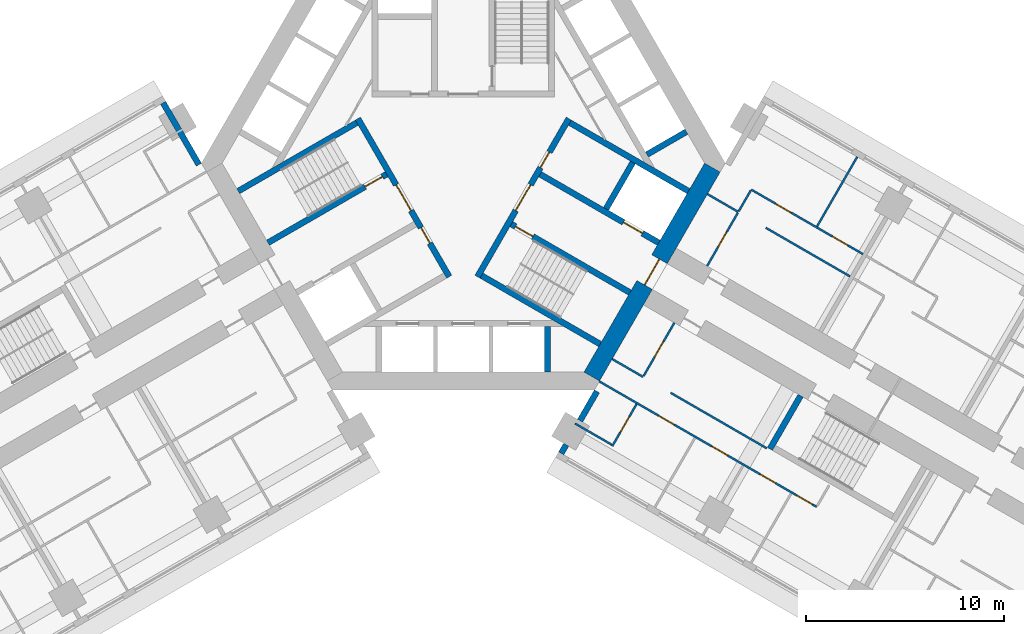
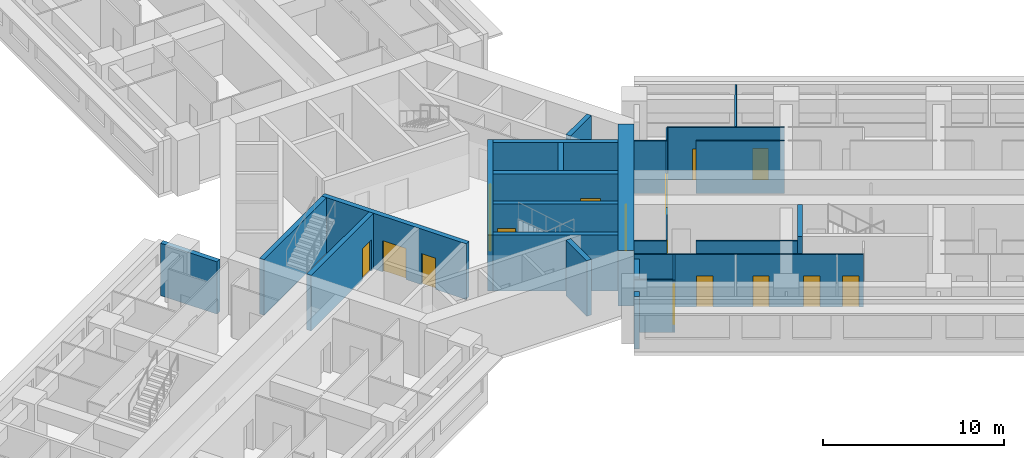
# One storey, part 7 of 15: 28 walls, 17 doors, 17 openings.
"""IFC4 building model written with IfcOpenShell, lengths in metres."""

from ifc_helpers import new_model, si_unit, direction, frame, frame_2d, origin, place, context, subcontext, project, spatial, rectangle, extrude, material, layer, layer_set, type_object, element, fill, save


model = new_model("IFC4")

# Units and contexts
model_context = context("Model", 3, precision=1e-05, world=origin(), true_north=direction((0.0, 1.0)))
body_context = subcontext(model_context, "Body", "Model", "MODEL_VIEW")
ifc_project = project(units=[si_unit("LENGTHUNIT", "METRE"), si_unit("AREAUNIT", "SQUARE_METRE"), si_unit("VOLUMEUNIT", "CUBIC_METRE"), si_unit("PLANEANGLEUNIT", "RADIAN"), si_unit("MASSUNIT", "GRAM", prefix="KILO")], contexts=[model_context])

# Site, building, storey
site_placement = place(None, origin())
site = spatial("IfcSite", under=ifc_project, at=site_placement, CompositionType="ELEMENT")
building_placement = place(site_placement, origin())
building = spatial("IfcBuilding", under=site, at=building_placement, Name="Impinga Residences", CompositionType="ELEMENT")
storey_placement = place(building_placement, frame((0.0, 0.0, 82.25)))
storey = spatial("IfcBuildingStorey", under=building, at=storey_placement, Name="L20", CompositionType="ELEMENT", Elevation=82.25)

# Walls
ifc_material_1 = material(Name="Terracotta rainscreen on blockwork", Category="masonry")
ifc_layer_1 = layer(ifc_material_1, 0.300048828125)
ifc_layer_set_1 = layer_set([ifc_layer_1], Name="EW1 external wall, terracotta rainscreen on blockwork 300")
wall_type_1 = type_object("IfcWallType", Name="EW1 external wall, terracotta rainscreen on blockwork 300", PredefinedType="SOLIDWALL", material=ifc_layer_set_1)
wall_1_placement = place(storey_placement, frame((-15.1298828125, 3.042724609375, 0.0), z_axis=(0.0, 0.0, 1.0), x_axis=(0.500012057535, -0.866018442252, 0.0)))
element("IfcWall", 1, at=wall_1_placement, inside=storey, type_object=wall_type_1, Name="External wall EW1 L20", PredefinedType="SOLIDWALL", context=body_context, shape_type="SweptSolid", body=[
    extrude(rectangle(XDim=3.60009765625, YDim=0.300048828125, at=frame_2d((1.800048828125, 0.0))), origin(), (0.0, 0.0, 1.0), 3.530029296875),
])
wall_2_placement = place(storey_placement, frame((4.929931640625, -14.624267578125, 0.0), z_axis=(0.0, 0.0, 1.0), x_axis=(0.499919672301, 0.866071776036, 0.0)))
element("IfcWall", 2, at=wall_2_placement, inside=storey, type_object=wall_type_1, Name="External wall EW1 L20", PredefinedType="SOLIDWALL", context=body_context, shape_type="SweptSolid", body=[
    extrude(rectangle(XDim=0.5, YDim=0.300048828125, at=frame_2d((0.25, 0.0))), origin(), (0.0, 0.0, 1.0), 3.530029296875),
])
wall_3_placement = place(storey_placement, frame((5.8798828125, -12.978759765625, 0.0), z_axis=(0.0, 0.0, 1.0), x_axis=(0.500062241894, 0.865989465428, 0.0)))
element("IfcWall", 3, at=wall_3_placement, inside=storey, type_object=wall_type_1, Name="External wall EW1 L20", PredefinedType="SOLIDWALL", context=body_context, shape_type="SweptSolid", body=[
    extrude(rectangle(XDim=1.699951171875, YDim=0.300048828125, at=frame_2d((0.85009765625, 0.0))), origin(), (0.0, 0.0, 1.0), 3.530029296875),
])
ifc_material_2 = material(Name="Gypsum board on steel studs", Category="steel")
ifc_layer_2 = layer(ifc_material_2, 0.10009765625)
ifc_layer_set_2 = layer_set([ifc_layer_2], Name="Gypsum board on steel studs")
wall_type_2 = type_object("IfcWallType", Name="IP1 partition 100", PredefinedType="PARTITIONING", material=ifc_layer_set_2)
wall_4_placement = place(storey_placement, frame((12.300048828125, -1.558837890625, 0.0), z_axis=(0.0, 0.0, 1.0), x_axis=(0.866047807691, -0.499961193289, 0.0)))
element("IfcWall", 4, at=wall_4_placement, inside=storey, type_object=wall_type_2, Name="Partition L20-EA1:DIV0", PredefinedType="PARTITIONING", context=body_context, shape_type="SweptSolid", body=[
    extrude(rectangle(XDim=1.800048828125, YDim=0.10009765625, at=frame_2d((0.89990234375, 0.0))), origin(), (0.0, 0.0, 1.0), 3.530029296875),
])
wall_5_placement = place(storey_placement, frame((15.244384765625, -3.2587890625, 0.0), z_axis=(0.0, 0.0, 1.0), x_axis=(0.866036242063, -0.49998122708, 0.0)))
element("IfcWall", 5, at=wall_5_placement, inside=storey, type_object=wall_type_2, Name="Partition L20-EA1:DIV1", PredefinedType="PARTITIONING", context=body_context, shape_type="SweptSolid", body=[
    extrude(rectangle(XDim=4.900146484375, YDim=0.10009765625, at=frame_2d((2.4501953125, 0.0))), origin(), (0.0, 0.0, 1.0), 3.530029296875),
])

# Wall, openings, doors
wall_6_placement = place(storey_placement, frame((14.5087890625, -1.3330078125, 0.0), z_axis=(0.0, 0.0, 1.0), x_axis=(0.866024837091, -0.50000098154, 0.0)))
wall_6 = element("IfcWall", 6, at=wall_6_placement, inside=storey, type_object=wall_type_2, Name="Partition L20-EA1:STRIP", PredefinedType="PARTITIONING", context=body_context, shape_type="SweptSolid", body=[
    extrude(rectangle(XDim=6.5, YDim=0.10009765625, at=frame_2d((3.25, 0.0))), origin(), (0.0, 0.0, 1.0), 3.530029296875),
])
opening_1_placement = place(wall_6_placement, frame((1.425048828125, 0.0, 0.0)))
opening_1 = element("IfcOpeningElement", 7, at=opening_1_placement, cuts=wall_6, Name="Opening D2", PredefinedType="OPENING", context=body_context, shape_type="SweptSolid", body=[
    extrude(rectangle(XDim=0.89990234375, YDim=2.10009765625, at=frame_2d((0.449951171875, 1.050048828125))), frame((0.0, 0.06005859375, 0.0), z_axis=(0.0, -1.0, 0.0), x_axis=(1.0, 0.0, 0.0)), (0.0, 0.0, 1.0), 0.1201171875),
])
opening_2_placement = place(wall_6_placement, frame((4.72509765625, 0.0, 0.0)))
opening_2 = element("IfcOpeningElement", 8, at=opening_2_placement, cuts=wall_6, Name="Opening D2", PredefinedType="OPENING", context=body_context, shape_type="SweptSolid", body=[
    extrude(rectangle(XDim=0.89990234375, YDim=2.10009765625, at=frame_2d((0.449951171875, 1.050048828125))), frame((0.0, 0.06005859375, 0.0), z_axis=(0.0, -1.0, 0.0), x_axis=(1.0, 0.0, 0.0)), (0.0, 0.0, 1.0), 0.1201171875),
])
ifc_material_3 = material(Name="Timber door set", Category="wood")
door_type_1 = type_object("IfcDoorType", Name="D2 internal door 900x2100", OperationType="SINGLE_SWING_LEFT", PredefinedType="DOOR", material=ifc_material_3)
door_1_placement = place(opening_1_placement, origin())
door_1 = element("IfcDoor", 9, at=door_1_placement, inside=storey, type_object=door_type_1, Name="Apartment L20-EA1 room door", OperationType="SINGLE_SWING_LEFT", OverallHeight=2.10009765625, OverallWidth=0.89990234375, PredefinedType="DOOR", context=body_context, shape_type="SweptSolid", body=[
    extrude(rectangle(XDim=0.89990234375, YDim=2.10009765625, at=frame_2d((0.449951171875, 1.050048828125))), frame((0.0, 0.02490234375, 0.0), z_axis=(0.0, -1.0, 0.0), x_axis=(1.0, 0.0, 0.0)), (0.0, 0.0, 1.0), 0.050048828125),
])
fill(opening_1, door_1)
door_2_placement = place(opening_2_placement, origin())
door_2 = element("IfcDoor", 10, at=door_2_placement, inside=storey, type_object=door_type_1, Name="Apartment L20-EA1 room door", OperationType="SINGLE_SWING_RIGHT", OverallHeight=2.10009765625, OverallWidth=0.89990234375, PredefinedType="DOOR", context=body_context, shape_type="SweptSolid", body=[
    extrude(rectangle(XDim=0.89990234375, YDim=2.10009765625, at=frame_2d((0.449951171875, 1.050048828125))), frame((0.0, 0.02490234375, 0.0), z_axis=(0.0, -1.0, 0.0), x_axis=(1.0, 0.0, 0.0)), (0.0, 0.0, 1.0), 0.050048828125),
])
fill(opening_2, door_2)

# Wall
wall_7_placement = place(storey_placement, frame((13.8837890625, -2.41552734375, 0.0), z_axis=(0.0, 0.0, 1.0), x_axis=(0.500033551112, 0.866006032174, 0.0)))
element("IfcWall", 11, at=wall_7_placement, inside=storey, type_object=wall_type_2, Name="Partition L20-EA1:SE0", PredefinedType="PARTITIONING", context=body_context, shape_type="SweptSolid", body=[
    extrude(rectangle(XDim=1.2001953125, YDim=0.10009765625, at=frame_2d((0.60009765625, 0.0))), origin(), (0.0, 0.0, 1.0), 3.530029296875),
])

# Wall, opening, door
wall_8_placement = place(storey_placement, frame((12.283935546875, -5.186767578125, 0.0), z_axis=(0.0, 0.0, 1.0), x_axis=(0.499967891604, 0.866043940782, 0.0)))
wall_8 = element("IfcWall", 12, at=wall_8_placement, inside=storey, type_object=wall_type_2, Name="Partition L20-EA1:IB1", PredefinedType="PARTITIONING", context=body_context, shape_type="SweptSolid", body=[
    extrude(rectangle(XDim=3.099853515625, YDim=0.10009765625, at=frame_2d((1.5498046875, 0.0))), origin(), (0.0, 0.0, 1.0), 3.530029296875),
])
opening_3_placement = place(wall_8_placement, frame((1.10009765625, 0.0, 0.0)))
opening_3 = element("IfcOpeningElement", 13, at=opening_3_placement, cuts=wall_8, Name="Opening D2", PredefinedType="OPENING", context=body_context, shape_type="SweptSolid", body=[
    extrude(rectangle(XDim=0.89990234375, YDim=2.10009765625, at=frame_2d((0.449951171875, 1.050048828125))), frame((0.0, 0.06005859375, 0.0), z_axis=(0.0, -1.0, 0.0), x_axis=(1.0, 0.0, 0.0)), (0.0, 0.0, 1.0), 0.1201171875),
])
door_3_placement = place(opening_3_placement, origin())
door_3 = element("IfcDoor", 14, at=door_3_placement, inside=storey, type_object=door_type_1, Name="Apartment L20-EA1 bathroom door", OperationType="SINGLE_SWING_LEFT", OverallHeight=2.10009765625, OverallWidth=0.89990234375, PredefinedType="DOOR", context=body_context, shape_type="SweptSolid", body=[
    extrude(rectangle(XDim=0.89990234375, YDim=2.10009765625, at=frame_2d((0.449951171875, 1.050048828125))), frame((0.0, 0.02490234375, 0.0), z_axis=(0.0, -1.0, 0.0), x_axis=(1.0, 0.0, 0.0)), (0.0, 0.0, 1.0), 0.050048828125),
])
fill(opening_3, door_3)

# Walls
wall_9_placement = place(storey_placement, frame((17.82470703125, -3.189697265625, 0.0), z_axis=(0.0, 0.0, 1.0), x_axis=(0.500035537042, 0.866004885491, 0.0)))
element("IfcWall", 15, at=wall_9_placement, inside=storey, type_object=wall_type_2, Name="Partition L20-EA1:OB1", PredefinedType="PARTITIONING", context=body_context, shape_type="SweptSolid", body=[
    extrude(rectangle(XDim=4.050048828125, YDim=0.10009765625, at=frame_2d((2.02490234375, 0.0))), origin(), (0.0, 0.0, 1.0), 3.530029296875),
])
wall_10_placement = place(storey_placement, frame((7.5, -9.872802734375, 0.0), z_axis=(0.0, 0.0, 1.0), x_axis=(0.866047807691, -0.499961193289, 0.0)))
element("IfcWall", 16, at=wall_10_placement, inside=storey, type_object=wall_type_2, Name="Partition L20-EF1:DIV0", PredefinedType="PARTITIONING", context=body_context, shape_type="SweptSolid", body=[
    extrude(rectangle(XDim=1.800048828125, YDim=0.10009765625, at=frame_2d((0.89990234375, 0.0))), origin(), (0.0, 0.0, 1.0), 3.530029296875),
])
wall_11_placement = place(storey_placement, frame((10.444580078125, -11.57275390625, 0.0), z_axis=(0.0, 0.0, 1.0), x_axis=(0.866015695474, -0.500016814911, 0.0)))
element("IfcWall", 17, at=wall_11_placement, inside=storey, type_object=wall_type_2, Name="Partition L20-EF1:DIV1", PredefinedType="PARTITIONING", context=body_context, shape_type="SweptSolid", body=[
    extrude(rectangle(XDim=5.599853515625, YDim=0.10009765625, at=frame_2d((2.7998046875, 0.0))), origin(), (0.0, 0.0, 1.0), 3.530029296875),
])

# Wall, openings, doors
wall_12_placement = place(storey_placement, frame((6.85009765625, -10.99853515625, 0.0), z_axis=(0.0, 0.0, 1.0), x_axis=(0.866024244478, -0.500002007972, 0.0)))
wall_12 = element("IfcWall", 18, at=wall_12_placement, inside=storey, type_object=wall_type_2, Name="Partition L20-EF1:STRIP", PredefinedType="PARTITIONING", context=body_context, shape_type="SweptSolid", body=[
    extrude(rectangle(XDim=12.64990234375, YDim=0.10009765625, at=frame_2d((6.324951171875, 0.0))), origin(), (0.0, 0.0, 1.0), 3.530029296875),
])
opening_4_placement = place(wall_12_placement, frame((3.449951171875, 0.0, 0.0)))
opening_4 = element("IfcOpeningElement", 19, at=opening_4_placement, cuts=wall_12, Name="Opening D2", PredefinedType="OPENING", context=body_context, shape_type="SweptSolid", body=[
    extrude(rectangle(XDim=0.89990234375, YDim=2.10009765625, at=frame_2d((0.449951171875, 1.050048828125))), frame((0.0, 0.06005859375, 0.0), z_axis=(0.0, -1.0, 0.0), x_axis=(1.0, 0.0, 0.0)), (0.0, 0.0, 1.0), 0.1201171875),
])
opening_5_placement = place(wall_12_placement, frame((6.550048828125, 0.0, 0.0)))
opening_5 = element("IfcOpeningElement", 20, at=opening_5_placement, cuts=wall_12, Name="Opening D2", PredefinedType="OPENING", context=body_context, shape_type="SweptSolid", body=[
    extrude(rectangle(XDim=0.89990234375, YDim=2.10009765625, at=frame_2d((0.449951171875, 1.050048828125))), frame((0.0, 0.06005859375, 0.0), z_axis=(0.0, -1.0, 0.0), x_axis=(1.0, 0.0, 0.0)), (0.0, 0.0, 1.0), 0.1201171875),
])
opening_6_placement = place(wall_12_placement, frame((9.35009765625, 0.0, 0.0)))
opening_6 = element("IfcOpeningElement", 21, at=opening_6_placement, cuts=wall_12, Name="Opening D2", PredefinedType="OPENING", context=body_context, shape_type="SweptSolid", body=[
    extrude(rectangle(XDim=0.89990234375, YDim=2.10009765625, at=frame_2d((0.449951171875, 1.050048828125))), frame((0.0, 0.06005859375, 0.0), z_axis=(0.0, -1.0, 0.0), x_axis=(1.0, 0.0, 0.0)), (0.0, 0.0, 1.0), 0.1201171875),
])
opening_7_placement = place(wall_12_placement, frame((11.5, 0.0, 0.0)))
opening_7 = element("IfcOpeningElement", 22, at=opening_7_placement, cuts=wall_12, Name="Opening D2", PredefinedType="OPENING", context=body_context, shape_type="SweptSolid", body=[
    extrude(rectangle(XDim=0.89990234375, YDim=2.10009765625, at=frame_2d((0.449951171875, 1.050048828125))), frame((0.0, 0.06005859375, 0.0), z_axis=(0.0, -1.0, 0.0), x_axis=(1.0, 0.0, 0.0)), (0.0, 0.0, 1.0), 0.1201171875),
])
door_4_placement = place(opening_4_placement, origin())
door_4 = element("IfcDoor", 23, at=door_4_placement, inside=storey, type_object=door_type_1, Name="Apartment L20-EF1 room door", OperationType="SINGLE_SWING_LEFT", OverallHeight=2.10009765625, OverallWidth=0.89990234375, PredefinedType="DOOR", context=body_context, shape_type="SweptSolid", body=[
    extrude(rectangle(XDim=0.89990234375, YDim=2.10009765625, at=frame_2d((0.449951171875, 1.050048828125))), frame((0.0, 0.02490234375, 0.0), z_axis=(0.0, -1.0, 0.0), x_axis=(1.0, 0.0, 0.0)), (0.0, 0.0, 1.0), 0.050048828125),
])
fill(opening_4, door_4)
door_5_placement = place(opening_5_placement, origin())
door_5 = element("IfcDoor", 24, at=door_5_placement, inside=storey, type_object=door_type_1, Name="Apartment L20-EF1 room door", OperationType="SINGLE_SWING_RIGHT", OverallHeight=2.10009765625, OverallWidth=0.89990234375, PredefinedType="DOOR", context=body_context, shape_type="SweptSolid", body=[
    extrude(rectangle(XDim=0.89990234375, YDim=2.10009765625, at=frame_2d((0.449951171875, 1.050048828125))), frame((0.0, 0.02490234375, 0.0), z_axis=(0.0, -1.0, 0.0), x_axis=(1.0, 0.0, 0.0)), (0.0, 0.0, 1.0), 0.050048828125),
])
fill(opening_5, door_5)
door_6_placement = place(opening_6_placement, origin())
door_6 = element("IfcDoor", 25, at=door_6_placement, inside=storey, type_object=door_type_1, Name="Apartment L20-EF1 room door", OperationType="SINGLE_SWING_RIGHT", OverallHeight=2.10009765625, OverallWidth=0.89990234375, PredefinedType="DOOR", context=body_context, shape_type="SweptSolid", body=[
    extrude(rectangle(XDim=0.89990234375, YDim=2.10009765625, at=frame_2d((0.449951171875, 1.050048828125))), frame((0.0, 0.02490234375, 0.0), z_axis=(0.0, -1.0, 0.0), x_axis=(1.0, 0.0, 0.0)), (0.0, 0.0, 1.0), 0.050048828125),
])
fill(opening_6, door_6)
door_7_placement = place(opening_7_placement, origin())
door_7 = element("IfcDoor", 26, at=door_7_placement, inside=storey, type_object=door_type_1, Name="Apartment L20-EF1 room door", OperationType="SINGLE_SWING_RIGHT", OverallHeight=2.10009765625, OverallWidth=0.89990234375, PredefinedType="DOOR", context=body_context, shape_type="SweptSolid", body=[
    extrude(rectangle(XDim=0.89990234375, YDim=2.10009765625, at=frame_2d((0.449951171875, 1.050048828125))), frame((0.0, 0.02490234375, 0.0), z_axis=(0.0, -1.0, 0.0), x_axis=(1.0, 0.0, 0.0)), (0.0, 0.0, 1.0), 0.050048828125),
])
fill(opening_7, door_7)

# Wall, opening, door
wall_13_placement = place(storey_placement, frame((10.6337890625, -8.044677734375, 0.0), z_axis=(0.0, 0.0, 1.0), x_axis=(-0.49999285859, -0.86602952684, 0.0)))
wall_13 = element("IfcWall", 27, at=wall_13_placement, inside=storey, type_object=wall_type_2, Name="Partition L20-EF1:IB1", PredefinedType="PARTITIONING", context=body_context, shape_type="SweptSolid", body=[
    extrude(rectangle(XDim=3.10009765625, YDim=0.10009765625, at=frame_2d((1.550048828125, 0.0))), origin(), (0.0, 0.0, 1.0), 3.530029296875),
])
opening_8_placement = place(wall_13_placement, frame((1.10009765625, 0.0, 0.0)))
opening_8 = element("IfcOpeningElement", 28, at=opening_8_placement, cuts=wall_13, Name="Opening D2", PredefinedType="OPENING", context=body_context, shape_type="SweptSolid", body=[
    extrude(rectangle(XDim=0.89990234375, YDim=2.10009765625, at=frame_2d((0.449951171875, 1.050048828125))), frame((0.0, 0.06005859375, 0.0), z_axis=(0.0, -1.0, 0.0), x_axis=(1.0, 0.0, 0.0)), (0.0, 0.0, 1.0), 0.1201171875),
])
door_8_placement = place(opening_8_placement, origin())
door_8 = element("IfcDoor", 29, at=door_8_placement, inside=storey, type_object=door_type_1, Name="Apartment L20-EF1 bathroom door", OperationType="SINGLE_SWING_LEFT", OverallHeight=2.10009765625, OverallWidth=0.89990234375, PredefinedType="DOOR", context=body_context, shape_type="SweptSolid", body=[
    extrude(rectangle(XDim=0.89990234375, YDim=2.10009765625, at=frame_2d((0.449951171875, 1.050048828125))), frame((0.0, 0.02490234375, 0.0), z_axis=(0.0, -1.0, 0.0), x_axis=(1.0, 0.0, 0.0)), (0.0, 0.0, 1.0), 0.050048828125),
])
fill(opening_8, door_8)

wall_14_placement = place(storey_placement, frame((8.730224609375, -12.141845703125, 0.0), z_axis=(0.0, 0.0, 1.0), x_axis=(-0.499943856944, -0.866057815567, 0.0)))
wall_14 = element("IfcWall", 30, at=wall_14_placement, inside=storey, type_object=wall_type_2, Name="Partition L20-EF1:EN1", PredefinedType="PARTITIONING", context=body_context, shape_type="SweptSolid", body=[
    extrude(rectangle(XDim=2.449951171875, YDim=0.10009765625, at=frame_2d((1.22509765625, 0.0))), origin(), (0.0, 0.0, 1.0), 3.530029296875),
])
opening_9_placement = place(wall_14_placement, frame((0.75, 0.0, 0.0)))
opening_9 = element("IfcOpeningElement", 31, at=opening_9_placement, cuts=wall_14, Name="Opening D2", PredefinedType="OPENING", context=body_context, shape_type="SweptSolid", body=[
    extrude(rectangle(XDim=0.89990234375, YDim=2.10009765625, at=frame_2d((0.449951171875, 1.050048828125))), frame((0.0, 0.06005859375, 0.0), z_axis=(0.0, -1.0, 0.0), x_axis=(1.0, 0.0, 0.0)), (0.0, 0.0, 1.0), 0.1201171875),
])
door_9_placement = place(opening_9_placement, origin())
door_9 = element("IfcDoor", 32, at=door_9_placement, inside=storey, type_object=door_type_1, Name="Apartment L20-EF1 en-suite door", OperationType="SINGLE_SWING_LEFT", OverallHeight=2.10009765625, OverallWidth=0.89990234375, PredefinedType="DOOR", context=body_context, shape_type="SweptSolid", body=[
    extrude(rectangle(XDim=0.89990234375, YDim=2.10009765625, at=frame_2d((0.449951171875, 1.050048828125))), frame((0.0, 0.02490234375, 0.0), z_axis=(0.0, -1.0, 0.0), x_axis=(1.0, 0.0, 0.0)), (0.0, 0.0, 1.0), 0.050048828125),
])
fill(opening_9, door_9)

# Walls
wall_15_placement = place(storey_placement, frame((5.625, -13.120361328125, 0.0), z_axis=(0.0, 0.0, 1.0), x_axis=(0.866047553582, -0.499961633463, 0.0)))
element("IfcWall", 33, at=wall_15_placement, inside=storey, type_object=wall_type_2, Name="Partition L20-EF1:EN2", PredefinedType="PARTITIONING", context=body_context, shape_type="SweptSolid", body=[
    extrude(rectangle(XDim=2.150146484375, YDim=0.10009765625, at=frame_2d((1.0751953125, 0.0))), origin(), (0.0, 0.0, 1.0), 3.530029296875),
])
ifc_material_4 = material(Name="Concrete C60/75", Category="concrete")
ifc_layer_3 = layer(ifc_material_4, 0.300048828125)
ifc_layer_set_3 = layer_set([ifc_layer_3], Name="Concrete C60/75")
wall_type_3 = type_object("IfcWallType", Name="SE1 wing stair enclosure wall 300", PredefinedType="SOLIDWALL", material=ifc_layer_set_3)
wall_16_placement = place(storey_placement, frame((16.9990234375, -11.7197265625, 0.0), z_axis=(0.0, 0.0, 1.0), x_axis=(-0.499967891604, -0.866043940782, 0.0)))
element("IfcWall", 34, at=wall_16_placement, inside=storey, type_object=wall_type_3, Name="Stair enclosure wall SE1 E END0 L20", PredefinedType="SOLIDWALL", context=body_context, shape_type="SweptSolid", body=[
    extrude(rectangle(XDim=3.099853515625, YDim=0.300048828125, at=frame_2d((1.5498046875, 0.0))), origin(), (0.0, 0.0, 1.0), 3.75),
])

# Wall, opening, door
ifc_material_5 = material(Name="Concrete C70/85", Category="concrete")
ifc_layer_4 = layer(ifc_material_5, 0.89990234375)
ifc_layer_set_4 = layer_set([ifc_layer_4], Name="Concrete C70/85")
wall_type_4 = type_object("IfcWallType", Name="SW1 core wall 900", PredefinedType="SHEAR", material=ifc_layer_set_4)
wall_17_placement = place(storey_placement, frame((12.550537109375, -0.22509765625, 0.0), z_axis=(0.0, 0.0, 1.0), x_axis=(-0.499997612506, -0.8660267822, 0.0)))
wall_17 = element("IfcWall", 35, at=wall_17_placement, inside=storey, type_object=wall_type_4, Name="Core wall SW1 E:FACE L20", PredefinedType="SHEAR", context=body_context, shape_type="SweptSolid", body=[
    extrude(rectangle(XDim=12.16064453125, YDim=0.89990234375, at=frame_2d((6.080322265625, 0.0))), origin(), (0.0, 0.0, 1.0), 3.75),
])
opening_10_placement = place(wall_17_placement, frame((5.330322265625, 0.0, 0.0)))
opening_10 = element("IfcOpeningElement", 36, at=opening_10_placement, cuts=wall_17, Name="Opening D4", PredefinedType="OPENING", context=body_context, shape_type="SweptSolid", body=[
    extrude(rectangle(XDim=1.5, YDim=2.10009765625, at=frame_2d((0.75, 1.050048828125))), frame((0.0, 0.4599609375, 0.0), z_axis=(0.0, -1.0, 0.0), x_axis=(1.0, 0.0, 0.0)), (0.0, 0.0, 1.0), 0.919921875),
])
door_type_2 = type_object("IfcDoorType", Name="D4 lobby door pair 1500x2100", OperationType="DOUBLE_DOOR_DOUBLE_SWING", PredefinedType="DOOR", material=ifc_material_3)
door_10_placement = place(opening_10_placement, origin())
door_10 = element("IfcDoor", 37, at=door_10_placement, inside=storey, type_object=door_type_2, Name="Lobby door E", OperationType="DOUBLE_DOOR_DOUBLE_SWING", OverallHeight=2.10009765625, OverallWidth=1.5, PredefinedType="DOOR", context=body_context, shape_type="SweptSolid", body=[
    extrude(rectangle(XDim=1.5, YDim=2.10009765625, at=frame_2d((0.75, 1.050048828125))), frame((0.0, 0.02490234375, 0.0), z_axis=(0.0, -1.0, 0.0), x_axis=(1.0, 0.0, 0.0)), (0.0, 0.0, 1.0), 0.050048828125),
])
fill(opening_10, door_10)

# Wall, openings, doors
ifc_layer_5 = layer(ifc_material_5, 0.300048828125)
ifc_layer_set_5 = layer_set([ifc_layer_5], Name="Concrete C70/85")
wall_type_5 = type_object("IfcWallType", Name="SW5 core inner wall, stairs, shafts and lobbies 300", PredefinedType="SHEAR", material=ifc_layer_set_5)
wall_18_placement = place(storey_placement, frame((-0.7138671875, -5.7236328125, 0.0), z_axis=(0.0, 0.0, 1.0), x_axis=(-0.499995050369, 0.866028261437, 0.0)))
wall_18 = element("IfcWall", 38, at=wall_18_placement, inside=storey, type_object=wall_type_5, Name="Core wall SW5 W:ZONE L20", PredefinedType="SHEAR", context=body_context, shape_type="SweptSolid", body=[
    extrude(rectangle(XDim=9.19970703125, YDim=0.300048828125, at=frame_2d((4.599853515625, 0.0))), origin(), (0.0, 0.0, 1.0), 3.75),
])
opening_11_placement = place(wall_18_placement, frame((3.85009765625, 0.0, 0.0)))
opening_11 = element("IfcOpeningElement", 39, at=opening_11_placement, cuts=wall_18, Name="Opening D4", PredefinedType="OPENING", context=body_context, shape_type="SweptSolid", body=[
    extrude(rectangle(XDim=1.5, YDim=2.10009765625, at=frame_2d((0.75, 1.050048828125))), frame((0.0, 0.159912109375, 0.0), z_axis=(0.0, -1.0, 0.0), x_axis=(1.0, 0.0, 0.0)), (0.0, 0.0, 1.0), 0.320068359375),
])
opening_12_placement = place(wall_18_placement, frame((1.949951171875, 0.0, 0.0)))
opening_12 = element("IfcOpeningElement", 40, at=opening_12_placement, cuts=wall_18, Name="Opening D6", PredefinedType="OPENING", context=body_context, shape_type="SweptSolid", body=[
    extrude(rectangle(XDim=0.89990234375, YDim=2.10009765625, at=frame_2d((0.449951171875, 1.050048828125))), frame((0.0, 0.159912109375, 0.0), z_axis=(0.0, -1.0, 0.0), x_axis=(1.0, 0.0, 0.0)), (0.0, 0.0, 1.0), 0.320068359375),
])
door_11_placement = place(opening_11_placement, origin())
door_11 = element("IfcDoor", 41, at=door_11_placement, inside=storey, type_object=door_type_2, Name="Firefighting lobby door W", OperationType="DOUBLE_DOOR_DOUBLE_SWING", OverallHeight=2.10009765625, OverallWidth=1.5, PredefinedType="DOOR", context=body_context, shape_type="SweptSolid", body=[
    extrude(rectangle(XDim=1.5, YDim=2.10009765625, at=frame_2d((0.75, 1.050048828125))), frame((0.0, 0.02490234375, 0.0), z_axis=(0.0, -1.0, 0.0), x_axis=(1.0, 0.0, 0.0)), (0.0, 0.0, 1.0), 0.050048828125),
])
fill(opening_11, door_11)
door_type_3 = type_object("IfcDoorType", Name="D6 riser and store door 900x2100", OperationType="SINGLE_SWING_LEFT", PredefinedType="DOOR", material=ifc_material_3)
door_12_placement = place(opening_12_placement, origin())
door_12 = element("IfcDoor", 42, at=door_12_placement, inside=storey, type_object=door_type_3, Name="Riser door W", OperationType="SINGLE_SWING_LEFT", OverallHeight=2.10009765625, OverallWidth=0.89990234375, PredefinedType="DOOR", context=body_context, shape_type="SweptSolid", body=[
    extrude(rectangle(XDim=0.89990234375, YDim=2.10009765625, at=frame_2d((0.449951171875, 1.050048828125))), frame((0.0, 0.02490234375, 0.0), z_axis=(0.0, -1.0, 0.0), x_axis=(1.0, 0.0, 0.0)), (0.0, 0.0, 1.0), 0.050048828125),
])
fill(opening_12, door_12)

# Wall, opening, door
wall_19_placement = place(storey_placement, frame((-3.86865234375, -0.559326171875, 0.0), z_axis=(0.0, 0.0, 1.0), x_axis=(-0.86602711848, -0.499997030048, 0.0)))
wall_19 = element("IfcWall", 43, at=wall_19_placement, inside=storey, type_object=wall_type_5, Name="Core wall SW5 W:ST-IN L20", PredefinedType="SHEAR", context=body_context, shape_type="SweptSolid", body=[
    extrude(rectangle(XDim=6.9013671875, YDim=0.300048828125, at=frame_2d((3.45068359375, 0.0))), origin(), (0.0, 0.0, 1.0), 3.75),
])
opening_13_placement = place(wall_19_placement, frame((0.25, 0.0, 0.0)))
opening_13 = element("IfcOpeningElement", 44, at=opening_13_placement, cuts=wall_19, Name="Opening D5", PredefinedType="OPENING", context=body_context, shape_type="SweptSolid", body=[
    extrude(rectangle(XDim=1.0, YDim=2.10009765625, at=frame_2d((0.5, 1.050048828125))), frame((0.0, 0.159912109375, 0.0), z_axis=(0.0, -1.0, 0.0), x_axis=(1.0, 0.0, 0.0)), (0.0, 0.0, 1.0), 0.320068359375),
])
door_type_4 = type_object("IfcDoorType", Name="D5 stair door 1000x2100", OperationType="SINGLE_SWING_LEFT", PredefinedType="DOOR", material=ifc_material_3)
door_13_placement = place(opening_13_placement, origin())
door_13 = element("IfcDoor", 45, at=door_13_placement, inside=storey, type_object=door_type_4, Name="Stair door W", OperationType="SINGLE_SWING_LEFT", OverallHeight=2.10009765625, OverallWidth=1.0, PredefinedType="DOOR", context=body_context, shape_type="SweptSolid", body=[
    extrude(rectangle(XDim=1.0, YDim=2.10009765625, at=frame_2d((0.5, 1.050048828125))), frame((0.0, 0.02490234375, 0.0), z_axis=(0.0, -1.0, 0.0), x_axis=(1.0, 0.0, 0.0)), (0.0, 0.0, 1.0), 0.050048828125),
])
fill(opening_13, door_13)

# Wall
wall_20_placement = place(storey_placement, frame((-5.36865234375, 2.038818359375, 0.0), z_axis=(0.0, 0.0, 1.0), x_axis=(-0.86602711848, -0.499997030048, 0.0)))
element("IfcWall", 46, at=wall_20_placement, inside=storey, type_object=wall_type_5, Name="Core wall SW5 W:ST-OUT L20", PredefinedType="SHEAR", context=body_context, shape_type="SweptSolid", body=[
    extrude(rectangle(XDim=6.9013671875, YDim=0.300048828125, at=frame_2d((3.45068359375, 0.0))), origin(), (0.0, 0.0, 1.0), 3.75),
])

# Wall, openings, doors
wall_21_placement = place(storey_placement, frame((5.313720703125, 2.24365234375, 0.0), z_axis=(0.0, 0.0, 1.0), x_axis=(-0.499995050369, -0.866028261437, 0.0)))
wall_21 = element("IfcWall", 47, at=wall_21_placement, inside=storey, type_object=wall_type_5, Name="Core wall SW5 E:ZONE L20", PredefinedType="SHEAR", context=body_context, shape_type="SweptSolid", body=[
    extrude(rectangle(XDim=9.19970703125, YDim=0.300048828125, at=frame_2d((4.599853515625, 0.0))), origin(), (0.0, 0.0, 1.0), 3.75),
])
opening_14_placement = place(wall_21_placement, frame((3.85009765625, 0.0, 0.0)))
opening_14 = element("IfcOpeningElement", 48, at=opening_14_placement, cuts=wall_21, Name="Opening D4", PredefinedType="OPENING", context=body_context, shape_type="SweptSolid", body=[
    extrude(rectangle(XDim=1.5, YDim=2.10009765625, at=frame_2d((0.75, 1.050048828125))), frame((0.0, 0.159912109375, 0.0), z_axis=(0.0, -1.0, 0.0), x_axis=(1.0, 0.0, 0.0)), (0.0, 0.0, 1.0), 0.320068359375),
])
opening_15_placement = place(wall_21_placement, frame((1.949951171875, 0.0, 0.0)))
opening_15 = element("IfcOpeningElement", 49, at=opening_15_placement, cuts=wall_21, Name="Opening D6", PredefinedType="OPENING", context=body_context, shape_type="SweptSolid", body=[
    extrude(rectangle(XDim=0.89990234375, YDim=2.10009765625, at=frame_2d((0.449951171875, 1.050048828125))), frame((0.0, 0.159912109375, 0.0), z_axis=(0.0, -1.0, 0.0), x_axis=(1.0, 0.0, 0.0)), (0.0, 0.0, 1.0), 0.320068359375),
])
door_14_placement = place(opening_14_placement, origin())
door_14 = element("IfcDoor", 50, at=door_14_placement, inside=storey, type_object=door_type_2, Name="Firefighting lobby door E", OperationType="DOUBLE_DOOR_DOUBLE_SWING", OverallHeight=2.10009765625, OverallWidth=1.5, PredefinedType="DOOR", context=body_context, shape_type="SweptSolid", body=[
    extrude(rectangle(XDim=1.5, YDim=2.10009765625, at=frame_2d((0.75, 1.050048828125))), frame((0.0, 0.02490234375, 0.0), z_axis=(0.0, -1.0, 0.0), x_axis=(1.0, 0.0, 0.0)), (0.0, 0.0, 1.0), 0.050048828125),
])
fill(opening_14, door_14)
door_15_placement = place(opening_15_placement, origin())
door_15 = element("IfcDoor", 51, at=door_15_placement, inside=storey, type_object=door_type_3, Name="Riser door E", OperationType="SINGLE_SWING_LEFT", OverallHeight=2.10009765625, OverallWidth=0.89990234375, PredefinedType="DOOR", context=body_context, shape_type="SweptSolid", body=[
    extrude(rectangle(XDim=0.89990234375, YDim=2.10009765625, at=frame_2d((0.449951171875, 1.050048828125))), frame((0.0, 0.02490234375, 0.0), z_axis=(0.0, -1.0, 0.0), x_axis=(1.0, 0.0, 0.0)), (0.0, 0.0, 1.0), 0.050048828125),
])
fill(opening_15, door_15)

# Wall, opening, door
wall_22_placement = place(storey_placement, frame((2.418701171875, -3.07080078125, 0.0), z_axis=(0.0, 0.0, 1.0), x_axis=(0.86602711848, -0.499997030048, 0.0)))
wall_22 = element("IfcWall", 52, at=wall_22_placement, inside=storey, type_object=wall_type_5, Name="Core wall SW5 E:ST-IN L20", PredefinedType="SHEAR", context=body_context, shape_type="SweptSolid", body=[
    extrude(rectangle(XDim=6.9013671875, YDim=0.300048828125, at=frame_2d((3.45068359375, 0.0))), origin(), (0.0, 0.0, 1.0), 3.75),
])
opening_16_placement = place(wall_22_placement, frame((0.25, 0.0, 0.0)))
opening_16 = element("IfcOpeningElement", 53, at=opening_16_placement, cuts=wall_22, Name="Opening D5", PredefinedType="OPENING", context=body_context, shape_type="SweptSolid", body=[
    extrude(rectangle(XDim=1.0, YDim=2.10009765625, at=frame_2d((0.5, 1.050048828125))), frame((0.0, 0.159912109375, 0.0), z_axis=(0.0, -1.0, 0.0), x_axis=(1.0, 0.0, 0.0)), (0.0, 0.0, 1.0), 0.320068359375),
])
door_16_placement = place(opening_16_placement, origin())
door_16 = element("IfcDoor", 54, at=door_16_placement, inside=storey, type_object=door_type_4, Name="Stair door E", OperationType="SINGLE_SWING_LEFT", OverallHeight=2.10009765625, OverallWidth=1.0, PredefinedType="DOOR", context=body_context, shape_type="SweptSolid", body=[
    extrude(rectangle(XDim=1.0, YDim=2.10009765625, at=frame_2d((0.5, 1.050048828125))), frame((0.0, 0.02490234375, 0.0), z_axis=(0.0, -1.0, 0.0), x_axis=(1.0, 0.0, 0.0)), (0.0, 0.0, 1.0), 0.050048828125),
])
fill(opening_16, door_16)

# Wall
wall_23_placement = place(storey_placement, frame((0.918701171875, -5.668701171875, 0.0), z_axis=(0.0, 0.0, 1.0), x_axis=(0.866011800373, -0.500023561059, 0.0)))
element("IfcWall", 55, at=wall_23_placement, inside=storey, type_object=wall_type_5, Name="Core wall SW5 E:ST-OUT L20", PredefinedType="SHEAR", context=body_context, shape_type="SweptSolid", body=[
    extrude(rectangle(XDim=6.901611328125, YDim=0.300048828125, at=frame_2d((3.45068359375, 0.0))), origin(), (0.0, 0.0, 1.0), 3.75),
])

# Wall, opening, door
wall_24_placement = place(storey_placement, frame((3.86865234375, -0.559326171875, 0.0), z_axis=(0.0, 0.0, 1.0), x_axis=(0.86602711848, -0.499997030048, 0.0)))
wall_24 = element("IfcWall", 56, at=wall_24_placement, inside=storey, type_object=wall_type_5, Name="Core wall SW5 E:FF-IN L20", PredefinedType="SHEAR", context=body_context, shape_type="SweptSolid", body=[
    extrude(rectangle(XDim=6.9013671875, YDim=0.300048828125, at=frame_2d((3.45068359375, 0.0))), origin(), (0.0, 0.0, 1.0), 3.75),
])
opening_17_placement = place(wall_24_placement, frame((4.85009765625, 0.0, 0.0)))
opening_17 = element("IfcOpeningElement", 57, at=opening_17_placement, cuts=wall_24, Name="Opening LD2", PredefinedType="OPENING", context=body_context, shape_type="SweptSolid", body=[
    extrude(rectangle(XDim=1.10009765625, YDim=2.10009765625, at=frame_2d((0.550048828125, 1.050048828125))), frame((0.0, 0.159912109375, 0.0), z_axis=(0.0, -1.0, 0.0), x_axis=(1.0, 0.0, 0.0)), (0.0, 0.0, 1.0), 0.320068359375),
])
ifc_material_6 = material(Name="Steel lift landing door", Category="steel")
door_type_5 = type_object("IfcDoorType", Name="LD2 firefighting lift landing door 1100x2100", OperationType="DOUBLE_DOOR_SLIDING", PredefinedType="DOOR", material=ifc_material_6)
door_17_placement = place(opening_17_placement, origin())
door_17 = element("IfcDoor", 58, at=door_17_placement, inside=storey, type_object=door_type_5, Name="Firefighting lift landing door F3", OperationType="DOUBLE_DOOR_SLIDING", OverallHeight=2.10009765625, OverallWidth=1.10009765625, PredefinedType="DOOR", context=body_context, shape_type="SweptSolid", body=[
    extrude(rectangle(XDim=1.10009765625, YDim=2.10009765625, at=frame_2d((0.550048828125, 1.050048828125))), frame((0.0, 0.02490234375, 0.0), z_axis=(0.0, -1.0, 0.0), x_axis=(1.0, 0.0, 0.0)), (0.0, 0.0, 1.0), 0.050048828125),
])
fill(opening_17, door_17)

# Walls
wall_25_placement = place(storey_placement, frame((5.36865234375, 2.038818359375, 0.0), z_axis=(0.0, 0.0, 1.0), x_axis=(0.86602711848, -0.499997030048, 0.0)))
element("IfcWall", 59, at=wall_25_placement, inside=storey, type_object=wall_type_5, Name="Core wall SW5 E:FF-OUT L20", PredefinedType="SHEAR", context=body_context, shape_type="SweptSolid", body=[
    extrude(rectangle(XDim=6.9013671875, YDim=0.300048828125, at=frame_2d((3.45068359375, 0.0))), origin(), (0.0, 0.0, 1.0), 3.75),
])
wall_26_placement = place(storey_placement, frame((8.541259765625, 0.033935546875, 0.0), z_axis=(0.0, 0.0, 1.0), x_axis=(-0.50000943426, -0.866019956843, 0.0)))
element("IfcWall", 60, at=wall_26_placement, inside=storey, type_object=wall_type_5, Name="Core wall SW5 E:FF-RS L20", PredefinedType="SHEAR", context=body_context, shape_type="SweptSolid", body=[
    extrude(rectangle(XDim=2.7001953125, YDim=0.300048828125, at=frame_2d((1.35009765625, 0.0))), origin(), (0.0, 0.0, 1.0), 3.75),
])
for number, where, z_axis, x_axis, name in (
    (61, (4.25, -8.2314453125, 0.0), (0.0, 0.0, 1.0), (0.0, -1.0, 0.0), "Core wall SW5 N:BANK-L L20"),
    (62, (9.253662109375, 0.43505859375, 0.0), (0.0, 0.0, 1.0), (0.866007057882, 0.500031774688, 0.0), "Core wall SW5 W:BANK-R L20"),
):
    element("IfcWall", number, at=place(storey_placement, frame(where, z_axis=z_axis, x_axis=x_axis)), inside=storey, type_object=wall_type_5, Name=name, PredefinedType="SHEAR", context=body_context, shape_type="SweptSolid", body=[
        extrude(rectangle(XDim=2.300048828125, YDim=0.300048828125, at=frame_2d((1.14990234375, 0.0))), origin(), (0.0, 0.0, 1.0), 3.75),
    ])

save(model, "model.ifc")
